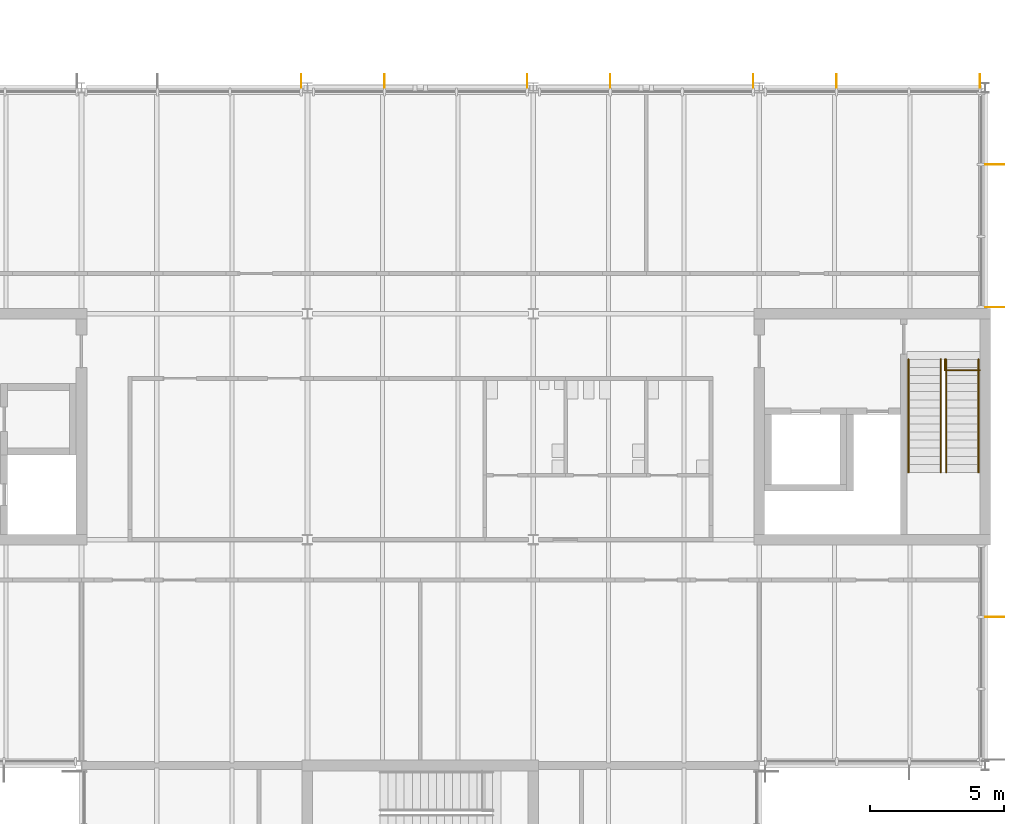
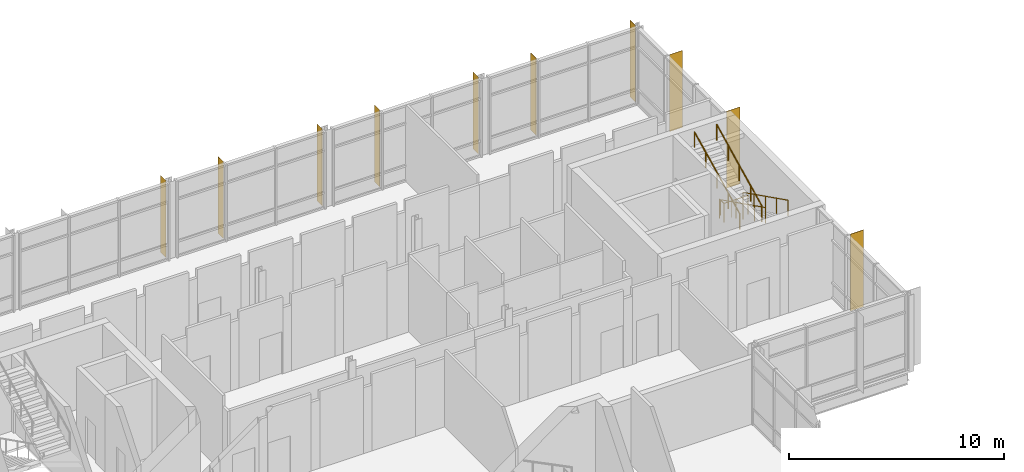
# One storey, part 71 of 72: 10 shading devices, 5 railings.
"""IFC4 building model written with IfcOpenShell, lengths in metres."""

from ifc_helpers import new_model, si_unit, direction, frame, origin, origin_2d, place, context, subcontext, project, spatial, rectangle, circle, extrude, material, layer, layer_set, type_object, element, save


model = new_model("IFC4")

# Units and contexts
model_context = context("Model", 3, precision=1e-05, world=origin(), true_north=direction((0.0, 1.0)))
body_context = subcontext(model_context, "Body", "Model", "MODEL_VIEW")
ifc_project = project(units=[si_unit("LENGTHUNIT", "METRE"), si_unit("AREAUNIT", "SQUARE_METRE"), si_unit("VOLUMEUNIT", "CUBIC_METRE"), si_unit("PLANEANGLEUNIT", "RADIAN"), si_unit("MASSUNIT", "GRAM", prefix="KILO")], contexts=[model_context])

# Site, building, storey
site_placement = place(None, origin())
site = spatial("IfcSite", under=ifc_project, at=site_placement, CompositionType="ELEMENT")
building_placement = place(site_placement, origin())
building = spatial("IfcBuilding", under=site, at=building_placement, Name="Hlaing Beacon Police Headquarters", CompositionType="ELEMENT")
storey_placement = place(building_placement, frame((0.0, 0.0, 14.39990234375)))
storey = spatial("IfcBuildingStorey", under=building, at=storey_placement, Name="L03", CompositionType="ELEMENT", Elevation=14.39990234375)

# Shading devices
ifc_material_1 = material(Name="Aluminium 6063-T5 anodised", Category="aluminium")
ifc_layer_1 = layer(ifc_material_1, 0.011962890625)
ifc_layer_set_1 = layer_set([ifc_layer_1], Name="Aluminium 6063-T5 anodised")
shading_device_type_1 = type_object("IfcShadingDeviceType", Name="Aluminium fin 12x500", PredefinedType="JALOUSIE", material=ifc_layer_set_1)
for number, where, z_axis, x_axis, name in (
    (1, (134.2099609375, 92.64990234375, 0.0), (0.0, 0.0, 1.0), (-1.0, 0.0, 0.0), "Fin L03 N028.0"),
    (2, (128.87353515625, 92.64990234375, 0.0), (0.0, 0.0, 1.0), (-1.0, 0.0, 0.0), "Fin L03 N028.2"),
    (3, (125.774658203125, 92.64990234375, 0.0), (0.0, 0.0, 1.0), (-1.0, 0.0, 0.0), "Fin L03 N029.0"),
    (4, (120.4619140625, 92.64990234375, 0.0), (0.0, 0.0, 1.0), (-1.0, 0.0, 0.0), "Fin L03 N029.2"),
    (5, (117.37451171875, 92.64990234375, 0.0), (0.0, 0.0, 1.0), (-1.0, 0.0, 0.0), "Fin L03 N030.0"),
    (6, (112.061767578125, 92.64990234375, 0.0), (0.0, 0.0, 1.0), (-1.0, 0.0, 0.0), "Fin L03 N030.2"),
    (7, (108.974609375, 92.64990234375, 0.0), (0.0, 0.0, 1.0), (-1.0, 0.0, 0.0), "Fin L03 N031.0"),
):
    element("IfcShadingDevice", number, at=place(storey_placement, frame(where, z_axis=z_axis, x_axis=x_axis)), inside=storey, type_object=shading_device_type_1, Name=name, PredefinedType="JALOUSIE", context=body_context, shape_type="SweptSolid", body=[
        extrude(rectangle(XDim=0.011962890625, YDim=0.5, at=origin_2d()), origin(), (0.0, 0.0, 1.0), 4.3701171875),
    ])
ifc_material_2 = material(Name="Aluminium 6063-T5 anodised", Category="aluminium")
ifc_layer_2 = layer(ifc_material_2, 0.01611328125)
ifc_layer_set_2 = layer_set([ifc_layer_2], Name="Aluminium 6063-T5 anodised")
shading_device_type_2 = type_object("IfcShadingDeviceType", Name="Aluminium fin 16x700", PredefinedType="JALOUSIE", material=ifc_layer_set_2)
for number, where, z_axis, x_axis, name in (
    (8, (134.75, 72.7255859375, 0.0), (0.0, 0.0, 1.0), (0.0, 1.0, 0.0), "Fin L03 E026.2"),
    (9, (134.75, 84.239990234375, 0.0), (0.0, 0.0, 1.0), (0.0, 1.0, 0.0), "Fin L03 E027.0"),
    (10, (134.75, 89.549072265625, 0.0), (0.0, 0.0, 1.0), (0.0, 1.0, 0.0), "Fin L03 E027.2"),
):
    element("IfcShadingDevice", number, at=place(storey_placement, frame(where, z_axis=z_axis, x_axis=x_axis)), inside=storey, type_object=shading_device_type_2, Name=name, PredefinedType="JALOUSIE", context=body_context, shape_type="SweptSolid", body=[
        extrude(rectangle(XDim=0.01611328125, YDim=0.699951171875, at=origin_2d()), origin(), (0.0, 0.0, 1.0), 4.3701171875),
    ])

# Railings
ifc_material_3 = material(Name="Stainless steel", Category="steel")
railing_type_1 = type_object("IfcRailingType", Name="Stair guard 1100", PredefinedType="GUARDRAIL", material=ifc_material_3)
railing_placement = place(storey_placement, frame((134.199951171875, 81.89990234375, 0.0)))
element("IfcRailing", 11, at=railing_placement, inside=storey, type_object=railing_type_1, Name="Guard ST-R", PredefinedType="GUARDRAIL", context=body_context, shape_type="SweptSolid", body=[
    extrude(circle(Radius=0.02392578125, at=origin_2d()), frame((0.0, 0.0, 1.076171875), z_axis=(-1.0, 0.0, 0.0), x_axis=(0.0, -1.0, 0.0)), (0.0, 0.0, 1.0), 1.300048828125),
    extrude(circle(Radius=0.02392578125, at=origin_2d()), frame((-1.300048828125, 0.0, 1.076171875), z_axis=(0.0, 1.0, 0.0), x_axis=(-1.0, 0.0, 0.0)), (0.0, 0.0, 1.0), 0.400146484375),
    extrude(circle(Radius=0.02099609375, at=origin_2d()), origin(), (0.0, 0.0, 1.0), 1.052001953125),
    extrude(circle(Radius=0.02099609375, at=origin_2d()), frame((-0.64990234375, 0.0, 0.0)), (0.0, 0.0, 1.0), 1.052001953125),
    extrude(circle(Radius=0.02099609375, at=origin_2d()), frame((-1.300048828125, 0.0, 0.0)), (0.0, 0.0, 1.0), 1.052001953125),
    extrude(circle(Radius=0.02099609375, at=origin_2d()), frame((-1.300048828125, 0.400146484375, 0.0)), (0.0, 0.0, 1.0), 1.052001953125),
])
ifc_material_4 = material(Name="Stainless steel", Category="steel")
railing_type_2 = type_object("IfcRailingType", Name="Stair handrail 900", PredefinedType="HANDRAIL", material=ifc_material_4)
for number, where, name in (
    (12, (134.14990234375, 82.300048828125, 0.150146484375), "Handrail ST-R"),
    (13, (132.949951171875, 82.300048828125, 0.150146484375), "Handrail ST-R"),
):
    element("IfcRailing", number, at=place(storey_placement, frame(where)), inside=storey, type_object=railing_type_2, Name=name, PredefinedType="HANDRAIL", context=body_context, shape_type="SweptSolid", body=[
        extrude(circle(Radius=0.02392578125, at=origin_2d()), frame((0.0, 0.0, 0.8759765625), z_axis=(0.0, -0.894437589381, 0.447192798132), x_axis=(1.0, 0.0, 0.0)), (0.0, 0.0, 1.0), 4.695556640625),
        extrude(circle(Radius=0.02099609375, at=origin_2d()), origin(), (0.0, 0.0, 1.0), 0.851806640625),
        extrude(circle(Radius=0.02099609375, at=origin_2d()), frame((0.0, -1.050048828125, 0.52490234375)), (0.0, 0.0, 1.0), 0.851806640625),
        extrude(circle(Radius=0.02099609375, at=origin_2d()), frame((0.0, -2.10009765625, 1.0498046875)), (0.0, 0.0, 1.0), 0.851806640625),
        extrude(circle(Radius=0.02099609375, at=origin_2d()), frame((0.0, -3.14990234375, 1.574951171875)), (0.0, 0.0, 1.0), 0.851806640625),
        extrude(circle(Radius=0.02099609375, at=origin_2d()), frame((0.0, -4.199951171875, 2.099853515625)), (0.0, 0.0, 1.0), 0.851806640625),
    ])
for number, where, name in (
    (14, (132.75, 78.10009765625, 2.400146484375), "Handrail ST-R"),
    (15, (131.550048828125, 78.10009765625, 2.400146484375), "Handrail ST-R"),
):
    element("IfcRailing", number, at=place(storey_placement, frame(where)), inside=storey, type_object=railing_type_2, Name=name, PredefinedType="HANDRAIL", context=body_context, shape_type="SweptSolid", body=[
        extrude(circle(Radius=0.02392578125, at=origin_2d()), frame((0.0, 0.0, 0.8759765625), z_axis=(0.0, 0.894437589381, 0.447192798132), x_axis=(-1.0, 0.0, 0.0)), (0.0, 0.0, 1.0), 4.695556640625),
        extrude(circle(Radius=0.02099609375, at=origin_2d()), origin(), (0.0, 0.0, 1.0), 0.851806640625),
        extrude(circle(Radius=0.02099609375, at=origin_2d()), frame((0.0, 1.050048828125, 0.52490234375)), (0.0, 0.0, 1.0), 0.851806640625),
        extrude(circle(Radius=0.02099609375, at=origin_2d()), frame((0.0, 2.10009765625, 1.0498046875)), (0.0, 0.0, 1.0), 0.851806640625),
        extrude(circle(Radius=0.02099609375, at=origin_2d()), frame((0.0, 3.14990234375, 1.574951171875)), (0.0, 0.0, 1.0), 0.851806640625),
        extrude(circle(Radius=0.02099609375, at=origin_2d()), frame((0.0, 4.199951171875, 2.099853515625)), (0.0, 0.0, 1.0), 0.851806640625),
    ])

save(model, "model.ifc")
